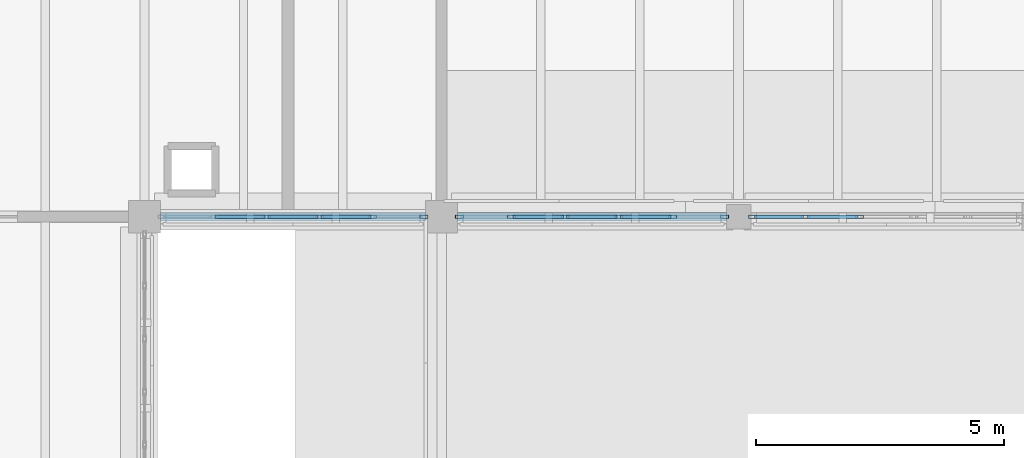
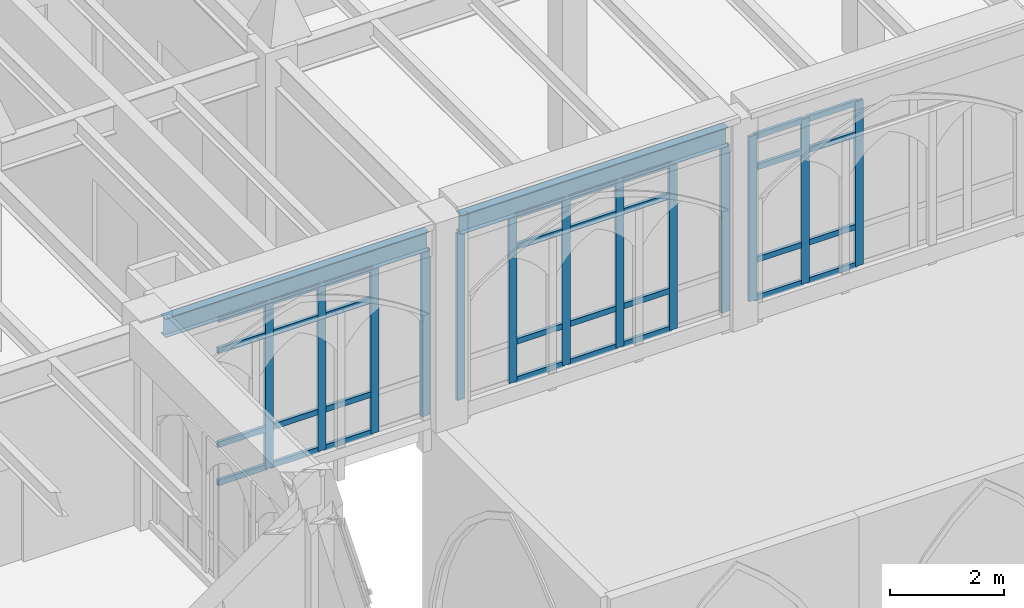
# One storey, part 71 of 143: 45 members, 2 beams, 3 elements without a shape of their own.
"""IFC4 building model written with IfcOpenShell, lengths in metres."""

from ifc_helpers import new_model, si_unit, direction, frame, origin, origin_2d, place, context, subcontext, project, spatial, hollow_rectangle, i_section, extrude, material, layer, layer_set, material_profile, profile_set, type_object, element, aggregate, save


model = new_model("IFC4")

# Units and contexts
model_context = context("Model", 3, precision=1e-05, world=origin(), true_north=direction((0.0, 1.0)))
body_context = subcontext(model_context, "Body", "Model", "MODEL_VIEW")
ifc_project = project(units=[si_unit("LENGTHUNIT", "METRE"), si_unit("AREAUNIT", "SQUARE_METRE"), si_unit("VOLUMEUNIT", "CUBIC_METRE"), si_unit("PLANEANGLEUNIT", "RADIAN"), si_unit("MASSUNIT", "GRAM", prefix="KILO")], contexts=[model_context])

# Site, building, storey
site_placement = place(None, origin())
site = spatial("IfcSite", under=ifc_project, at=site_placement, CompositionType="ELEMENT")
building_placement = place(site_placement, origin())
building = spatial("IfcBuilding", under=site, at=building_placement, Name="Cumevento Cable Car Station", CompositionType="ELEMENT")
storey_placement = place(building_placement, frame((0.0, 0.0, 9.0)))
storey = spatial("IfcBuildingStorey", under=building, at=storey_placement, Name="L03", CompositionType="ELEMENT", Elevation=9.0)

# Curtain wall, members
ifc_material_1 = material(Name="Anodised Bronze Aluminium AW-6063-T6", Category="aluminium")
ifc_layer_1 = layer(ifc_material_1, 0.166015625)
ifc_layer_set_1 = layer_set([ifc_layer_1], Name="Anodised Bronze Aluminium AW-6063-T6")
curtain_wall_type_1 = type_object("IfcCurtainWallType", Name="Lancet Curtain Wall CW-02 1090", PredefinedType="NOTDEFINED", material=ifc_layer_set_1)
curtain_wall_1_placement = place(storey_placement, origin())
curtain_wall_1 = element("IfcCurtainWall", 1, at=curtain_wall_1_placement, inside=storey, type_object=curtain_wall_type_1, Name="Lancet Curtain Wall CW-02 L03 #129", PredefinedType="NOTDEFINED")
ifc_material_2 = material(Name="Anodised Bronze Aluminium AW-6063-T6", Category="aluminium")
ifc_material_profile_1 = material_profile(ifc_material_2, hollow_rectangle(XDim=0.06494140625, YDim=0.159912109375, WallThickness=0.00390625, at=origin_2d()), Name="ALUM65x160x4")
ifc_profile_set_1 = profile_set([ifc_material_profile_1], Name="Anodised Bronze Aluminium AW-6063-T6")
member_type_1 = type_object("IfcMemberType", Name="Curtain Mullion CWM-01 ALUM65x160x4", PredefinedType="MULLION", material=ifc_profile_set_1)
member_1_placement = place(storey_placement, frame((135.642578125, 33.0, 0.2099609375), z_axis=(0.0, 0.0, 1.0), x_axis=(0.0, -1.0, 0.0)))
member_1 = element("IfcMember", 2, at=member_1_placement, type_object=member_type_1, Name="CW-02 mullion 1", PredefinedType="MULLION", context=body_context, shape_type="SweptSolid", body=[
    extrude(hollow_rectangle(XDim=0.06494140625, YDim=0.159912109375, WallThickness=0.00390625, at=origin_2d()), origin(), (0.0, 0.0, 1.0), 3.568115234375),
])
member_2_placement = place(storey_placement, frame((134.60498046875, 33.0, 0.2099609375), z_axis=(0.0, 0.0, 1.0), x_axis=(0.0, -1.0, 0.0)))
member_2 = element("IfcMember", 3, at=member_2_placement, type_object=member_type_1, Name="CW-02 mullion 2", PredefinedType="MULLION", context=body_context, shape_type="SweptSolid", body=[
    extrude(hollow_rectangle(XDim=0.06494140625, YDim=0.159912109375, WallThickness=0.00390625, at=origin_2d()), origin(), (0.0, 0.0, 1.0), 3.568115234375),
])
member_3_placement = place(storey_placement, frame((133.534912109375, 33.0, 0.2099609375), z_axis=(0.0, 0.0, 1.0), x_axis=(0.0, -1.0, 0.0)))
member_3 = element("IfcMember", 4, at=member_3_placement, type_object=member_type_1, Name="CW-02 mullion 3", PredefinedType="MULLION", context=body_context, shape_type="SweptSolid", body=[
    extrude(hollow_rectangle(XDim=0.06494140625, YDim=0.159912109375, WallThickness=0.00390625, at=origin_2d()), origin(), (0.0, 0.0, 1.0), 3.568115234375),
])
member_4_placement = place(storey_placement, frame((132.465087890625, 33.0, 0.2099609375), z_axis=(0.0, 0.0, 1.0), x_axis=(0.0, -1.0, 0.0)))
member_4 = element("IfcMember", 5, at=member_4_placement, type_object=member_type_1, Name="CW-02 mullion 4", PredefinedType="MULLION", context=body_context, shape_type="SweptSolid", body=[
    extrude(hollow_rectangle(XDim=0.06494140625, YDim=0.159912109375, WallThickness=0.00390625, at=origin_2d()), origin(), (0.0, 0.0, 1.0), 3.568115234375),
])

ifc_material_3 = material(Name="Anodised Bronze Aluminium AW-6063-T6", Category="aluminium")
ifc_layer_2 = layer(ifc_material_3, 0.177978515625)
ifc_layer_set_2 = layer_set([ifc_layer_2], Name="Anodised Bronze Aluminium AW-6063-T6")
curtain_wall_type_2 = type_object("IfcCurtainWallType", Name="Lancet Curtain Wall CW-04 1170", PredefinedType="NOTDEFINED", material=ifc_layer_set_2)
curtain_wall_2_placement = place(storey_placement, origin())
curtain_wall_2 = element("IfcCurtainWall", 6, at=curtain_wall_2_placement, inside=storey, type_object=curtain_wall_type_2, Name="Lancet Curtain Wall CW-04 L03 #131", PredefinedType="NOTDEFINED")
member_5_placement = place(storey_placement, frame((141.717529296875, 33.0, 0.31005859375), z_axis=(0.0, 0.0, 1.0), x_axis=(0.0, -1.0, 0.0)))
member_5 = element("IfcMember", 7, at=member_5_placement, type_object=member_type_1, Name="CW-04 mullion 1", PredefinedType="MULLION", context=body_context, shape_type="SweptSolid", body=[
    extrude(hollow_rectangle(XDim=0.06494140625, YDim=0.159912109375, WallThickness=0.00390625, at=origin_2d()), origin(), (0.0, 0.0, 1.0), 3.5830078125),
])
member_6_placement = place(storey_placement, frame((140.6650390625, 33.0, 0.31005859375), z_axis=(0.0, 0.0, 1.0), x_axis=(0.0, -1.0, 0.0)))
member_6 = element("IfcMember", 8, at=member_6_placement, type_object=member_type_1, Name="CW-04 mullion 2", PredefinedType="MULLION", context=body_context, shape_type="SweptSolid", body=[
    extrude(hollow_rectangle(XDim=0.06494140625, YDim=0.159912109375, WallThickness=0.00390625, at=origin_2d()), origin(), (0.0, 0.0, 1.0), 3.5830078125),
])
member_7_placement = place(storey_placement, frame((139.580078125, 33.0, 0.31005859375), z_axis=(0.0, 0.0, 1.0), x_axis=(0.0, -1.0, 0.0)))
member_7 = element("IfcMember", 9, at=member_7_placement, type_object=member_type_1, Name="CW-04 mullion 3", PredefinedType="MULLION", context=body_context, shape_type="SweptSolid", body=[
    extrude(hollow_rectangle(XDim=0.06494140625, YDim=0.159912109375, WallThickness=0.00390625, at=origin_2d()), origin(), (0.0, 0.0, 1.0), 3.5830078125),
])
member_8_placement = place(storey_placement, frame((138.4951171875, 33.0, 0.31005859375), z_axis=(0.0, 0.0, 1.0), x_axis=(0.0, -1.0, 0.0)))
member_8 = element("IfcMember", 10, at=member_8_placement, type_object=member_type_1, Name="CW-04 mullion 4", PredefinedType="MULLION", context=body_context, shape_type="SweptSolid", body=[
    extrude(hollow_rectangle(XDim=0.06494140625, YDim=0.159912109375, WallThickness=0.00390625, at=origin_2d()), origin(), (0.0, 0.0, 1.0), 3.5830078125),
])
member_9_placement = place(storey_placement, frame((137.409912109375, 33.0, 0.31005859375), z_axis=(0.0, 0.0, 1.0), x_axis=(0.0, -1.0, 0.0)))
member_9 = element("IfcMember", 11, at=member_9_placement, type_object=member_type_1, Name="CW-04 mullion 5", PredefinedType="MULLION", context=body_context, shape_type="SweptSolid", body=[
    extrude(hollow_rectangle(XDim=0.06494140625, YDim=0.159912109375, WallThickness=0.00390625, at=origin_2d()), origin(), (0.0, 0.0, 1.0), 3.5830078125),
])
member_10_placement = place(storey_placement, frame((136.357421875, 33.0, 0.31005859375), z_axis=(0.0, 0.0, 1.0), x_axis=(0.0, -1.0, 0.0)))
member_10 = element("IfcMember", 12, at=member_10_placement, type_object=member_type_1, Name="CW-04 mullion 6", PredefinedType="MULLION", context=body_context, shape_type="SweptSolid", body=[
    extrude(hollow_rectangle(XDim=0.06494140625, YDim=0.159912109375, WallThickness=0.00390625, at=origin_2d()), origin(), (0.0, 0.0, 1.0), 3.5830078125),
])

ifc_material_4 = material(Name="Anodised Bronze Aluminium AW-6063-T6", Category="aluminium")
ifc_layer_3 = layer(ifc_material_4, 0.18408203125)
ifc_layer_set_3 = layer_set([ifc_layer_3], Name="Anodised Bronze Aluminium AW-6063-T6")
curtain_wall_type_3 = type_object("IfcCurtainWallType", Name="Lancet Curtain Wall CW-05 1210", PredefinedType="NOTDEFINED", material=ifc_layer_set_3)
curtain_wall_3_placement = place(storey_placement, origin())
curtain_wall_3 = element("IfcCurtainWall", 13, at=curtain_wall_3_placement, inside=storey, type_object=curtain_wall_type_3, Name="Lancet Curtain Wall CW-05 L03 #132", PredefinedType="NOTDEFINED")
member_11_placement = place(storey_placement, frame((144.43994140625, 33.0, 0.360107421875), z_axis=(0.0, 0.0, 1.0), x_axis=(0.0, -1.0, 0.0)))
member_11 = element("IfcMember", 14, at=member_11_placement, type_object=member_type_1, Name="CW-05 mullion 4", PredefinedType="MULLION", context=body_context, shape_type="SweptSolid", body=[
    extrude(hollow_rectangle(XDim=0.06494140625, YDim=0.159912109375, WallThickness=0.00390625, at=origin_2d()), origin(), (0.0, 0.0, 1.0), 3.532958984375),
])
member_12_placement = place(storey_placement, frame((143.344970703125, 33.0, 0.360107421875), z_axis=(0.0, 0.0, 1.0), x_axis=(0.0, -1.0, 0.0)))
member_12 = element("IfcMember", 15, at=member_12_placement, type_object=member_type_1, Name="CW-05 mullion 5", PredefinedType="MULLION", context=body_context, shape_type="SweptSolid", body=[
    extrude(hollow_rectangle(XDim=0.06494140625, YDim=0.159912109375, WallThickness=0.00390625, at=origin_2d()), origin(), (0.0, 0.0, 1.0), 3.532958984375),
])
member_13_placement = place(storey_placement, frame((142.282470703125, 33.0, 0.360107421875), z_axis=(0.0, 0.0, 1.0), x_axis=(0.0, -1.0, 0.0)))
member_13 = element("IfcMember", 16, at=member_13_placement, type_object=member_type_1, Name="CW-05 mullion 6", PredefinedType="MULLION", context=body_context, shape_type="SweptSolid", body=[
    extrude(hollow_rectangle(XDim=0.06494140625, YDim=0.159912109375, WallThickness=0.00390625, at=origin_2d()), origin(), (0.0, 0.0, 1.0), 3.532958984375),
])

# Member
ifc_material_5 = material(Name="Anodised Bronze Aluminium AW-6063-T6", Category="aluminium")
ifc_material_profile_2 = material_profile(ifc_material_5, hollow_rectangle(XDim=0.06494140625, YDim=0.1201171875, WallThickness=0.00390625, at=origin_2d()), Name="ALUT65x120x4")
ifc_profile_set_2 = profile_set([ifc_material_profile_2], Name="Anodised Bronze Aluminium AW-6063-T6")
member_type_2 = type_object("IfcMemberType", Name="Curtain Transom CWT-01 ALUT65x120x4", PredefinedType="USERDEFINED", material=ifc_profile_set_2)
member_14_placement = place(storey_placement, frame((134.572509765625, 33.0, 0.242431640625), z_axis=(-1.0, 0.0, 0.0), x_axis=(0.0, -1.0, 0.0)))
member_14 = element("IfcMember", 17, at=member_14_placement, type_object=member_type_2, Name="CW-02 transom 2.1", ObjectType="TRANSOM", PredefinedType="USERDEFINED", context=body_context, shape_type="SweptSolid", body=[
    extrude(hollow_rectangle(XDim=0.06494140625, YDim=0.1201171875, WallThickness=0.00390625, at=origin_2d()), origin(), (0.0, 0.0, 1.0), 1.005126953125),
])

member_15_placement = place(storey_placement, frame((134.572509765625, 33.0, 1.06005859375), z_axis=(-1.0, 0.0, 0.0), x_axis=(0.0, -1.0, 0.0)))
member_15 = element("IfcMember", 18, at=member_15_placement, type_object=member_type_2, Name="CW-02 transom 2.2", ObjectType="TRANSOM", PredefinedType="USERDEFINED", context=body_context, shape_type="SweptSolid", body=[
    extrude(hollow_rectangle(XDim=0.06494140625, YDim=0.1201171875, WallThickness=0.00390625, at=origin_2d()), origin(), (0.0, 0.0, 1.0), 1.005126953125),
])

member_16_placement = place(storey_placement, frame((134.572509765625, 33.0, 3.077880859375), z_axis=(-1.0, 0.0, 0.0), x_axis=(0.0, -1.0, 0.0)))
member_16 = element("IfcMember", 19, at=member_16_placement, type_object=member_type_2, Name="CW-02 transom 2.3", ObjectType="TRANSOM", PredefinedType="USERDEFINED", context=body_context, shape_type="SweptSolid", body=[
    extrude(hollow_rectangle(XDim=0.06494140625, YDim=0.1201171875, WallThickness=0.00390625, at=origin_2d()), origin(), (0.0, 0.0, 1.0), 1.005126953125),
])

member_17_placement = place(storey_placement, frame((134.572509765625, 33.0, 3.74560546875), z_axis=(-1.0, 0.0, 0.0), x_axis=(0.0, -1.0, 0.0)))
member_17 = element("IfcMember", 20, at=member_17_placement, type_object=member_type_2, Name="CW-02 transom 2.4", ObjectType="TRANSOM", PredefinedType="USERDEFINED", context=body_context, shape_type="SweptSolid", body=[
    extrude(hollow_rectangle(XDim=0.06494140625, YDim=0.1201171875, WallThickness=0.00390625, at=origin_2d()), origin(), (0.0, 0.0, 1.0), 1.005126953125),
])

member_18_placement = place(storey_placement, frame((133.50244140625, 33.0, 0.242431640625), z_axis=(-1.0, 0.0, 0.0), x_axis=(0.0, -1.0, 0.0)))
member_18 = element("IfcMember", 21, at=member_18_placement, type_object=member_type_2, Name="CW-02 transom 3.1", ObjectType="TRANSOM", PredefinedType="USERDEFINED", context=body_context, shape_type="SweptSolid", body=[
    extrude(hollow_rectangle(XDim=0.06494140625, YDim=0.1201171875, WallThickness=0.00390625, at=origin_2d()), origin(), (0.0, 0.0, 1.0), 1.0048828125),
])

member_19_placement = place(storey_placement, frame((133.50244140625, 33.0, 1.06005859375), z_axis=(-1.0, 0.0, 0.0), x_axis=(0.0, -1.0, 0.0)))
member_19 = element("IfcMember", 22, at=member_19_placement, type_object=member_type_2, Name="CW-02 transom 3.2", ObjectType="TRANSOM", PredefinedType="USERDEFINED", context=body_context, shape_type="SweptSolid", body=[
    extrude(hollow_rectangle(XDim=0.06494140625, YDim=0.1201171875, WallThickness=0.00390625, at=origin_2d()), origin(), (0.0, 0.0, 1.0), 1.0048828125),
])

member_20_placement = place(storey_placement, frame((133.50244140625, 33.0, 3.077880859375), z_axis=(-1.0, 0.0, 0.0), x_axis=(0.0, -1.0, 0.0)))
member_20 = element("IfcMember", 23, at=member_20_placement, type_object=member_type_2, Name="CW-02 transom 3.3", ObjectType="TRANSOM", PredefinedType="USERDEFINED", context=body_context, shape_type="SweptSolid", body=[
    extrude(hollow_rectangle(XDim=0.06494140625, YDim=0.1201171875, WallThickness=0.00390625, at=origin_2d()), origin(), (0.0, 0.0, 1.0), 1.0048828125),
])

member_21_placement = place(storey_placement, frame((133.50244140625, 33.0, 3.74560546875), z_axis=(-1.0, 0.0, 0.0), x_axis=(0.0, -1.0, 0.0)))
member_21 = element("IfcMember", 24, at=member_21_placement, type_object=member_type_2, Name="CW-02 transom 3.4", ObjectType="TRANSOM", PredefinedType="USERDEFINED", context=body_context, shape_type="SweptSolid", body=[
    extrude(hollow_rectangle(XDim=0.06494140625, YDim=0.1201171875, WallThickness=0.00390625, at=origin_2d()), origin(), (0.0, 0.0, 1.0), 1.0048828125),
])

member_22_placement = place(storey_placement, frame((132.4326171875, 33.0, 0.242431640625), z_axis=(-1.0, 0.0, 0.0), x_axis=(0.0, -1.0, 0.0)))
member_22 = element("IfcMember", 25, at=member_22_placement, type_object=member_type_2, Name="CW-02 transom 4.1", ObjectType="TRANSOM", PredefinedType="USERDEFINED", context=body_context, shape_type="SweptSolid", body=[
    extrude(hollow_rectangle(XDim=0.06494140625, YDim=0.1201171875, WallThickness=0.00390625, at=origin_2d()), origin(), (0.0, 0.0, 1.0), 1.005126953125),
])

member_23_placement = place(storey_placement, frame((132.4326171875, 33.0, 1.06005859375), z_axis=(-1.0, 0.0, 0.0), x_axis=(0.0, -1.0, 0.0)))
member_23 = element("IfcMember", 26, at=member_23_placement, type_object=member_type_2, Name="CW-02 transom 4.2", ObjectType="TRANSOM", PredefinedType="USERDEFINED", context=body_context, shape_type="SweptSolid", body=[
    extrude(hollow_rectangle(XDim=0.06494140625, YDim=0.1201171875, WallThickness=0.00390625, at=origin_2d()), origin(), (0.0, 0.0, 1.0), 1.005126953125),
])

member_24_placement = place(storey_placement, frame((132.4326171875, 33.0, 3.077880859375), z_axis=(-1.0, 0.0, 0.0), x_axis=(0.0, -1.0, 0.0)))
member_24 = element("IfcMember", 27, at=member_24_placement, type_object=member_type_2, Name="CW-02 transom 4.3", ObjectType="TRANSOM", PredefinedType="USERDEFINED", context=body_context, shape_type="SweptSolid", body=[
    extrude(hollow_rectangle(XDim=0.06494140625, YDim=0.1201171875, WallThickness=0.00390625, at=origin_2d()), origin(), (0.0, 0.0, 1.0), 1.005126953125),
])

member_25_placement = place(storey_placement, frame((132.4326171875, 33.0, 3.74560546875), z_axis=(-1.0, 0.0, 0.0), x_axis=(0.0, -1.0, 0.0)))
member_25 = element("IfcMember", 28, at=member_25_placement, type_object=member_type_2, Name="CW-02 transom 4.4", ObjectType="TRANSOM", PredefinedType="USERDEFINED", context=body_context, shape_type="SweptSolid", body=[
    extrude(hollow_rectangle(XDim=0.06494140625, YDim=0.1201171875, WallThickness=0.00390625, at=origin_2d()), origin(), (0.0, 0.0, 1.0), 1.005126953125),
])

aggregate(curtain_wall_1, [member_1, member_2, member_3, member_4, member_14, member_15, member_16, member_17, member_18, member_19, member_20, member_21, member_22, member_23, member_24, member_25])

member_26_placement = place(storey_placement, frame((140.632568359375, 33.0, 0.342529296875), z_axis=(-1.0, 0.0, 0.0), x_axis=(0.0, -1.0, 0.0)))
member_26 = element("IfcMember", 29, at=member_26_placement, type_object=member_type_2, Name="CW-04 transom 2.1", ObjectType="TRANSOM", PredefinedType="USERDEFINED", context=body_context, shape_type="SweptSolid", body=[
    extrude(hollow_rectangle(XDim=0.06494140625, YDim=0.1201171875, WallThickness=0.00390625, at=origin_2d()), origin(), (0.0, 0.0, 1.0), 1.02001953125),
])

member_27_placement = place(storey_placement, frame((140.632568359375, 33.0, 1.159912109375), z_axis=(-1.0, 0.0, 0.0), x_axis=(0.0, -1.0, 0.0)))
member_27 = element("IfcMember", 30, at=member_27_placement, type_object=member_type_2, Name="CW-04 transom 2.2", ObjectType="TRANSOM", PredefinedType="USERDEFINED", context=body_context, shape_type="SweptSolid", body=[
    extrude(hollow_rectangle(XDim=0.06494140625, YDim=0.1201171875, WallThickness=0.00390625, at=origin_2d()), origin(), (0.0, 0.0, 1.0), 1.02001953125),
])

member_28_placement = place(storey_placement, frame((140.632568359375, 33.0, 3.193115234375), z_axis=(-1.0, 0.0, 0.0), x_axis=(0.0, -1.0, 0.0)))
member_28 = element("IfcMember", 31, at=member_28_placement, type_object=member_type_2, Name="CW-04 transom 2.3", ObjectType="TRANSOM", PredefinedType="USERDEFINED", context=body_context, shape_type="SweptSolid", body=[
    extrude(hollow_rectangle(XDim=0.06494140625, YDim=0.1201171875, WallThickness=0.00390625, at=origin_2d()), origin(), (0.0, 0.0, 1.0), 1.02001953125),
])

member_29_placement = place(storey_placement, frame((140.632568359375, 33.0, 3.860595703125), z_axis=(-1.0, 0.0, 0.0), x_axis=(0.0, -1.0, 0.0)))
member_29 = element("IfcMember", 32, at=member_29_placement, type_object=member_type_2, Name="CW-04 transom 2.4", ObjectType="TRANSOM", PredefinedType="USERDEFINED", context=body_context, shape_type="SweptSolid", body=[
    extrude(hollow_rectangle(XDim=0.06494140625, YDim=0.1201171875, WallThickness=0.00390625, at=origin_2d()), origin(), (0.0, 0.0, 1.0), 1.02001953125),
])

member_30_placement = place(storey_placement, frame((139.547607421875, 33.0, 0.342529296875), z_axis=(-1.0, 0.0, 0.0), x_axis=(0.0, -1.0, 0.0)))
member_30 = element("IfcMember", 33, at=member_30_placement, type_object=member_type_2, Name="CW-04 transom 3.1", ObjectType="TRANSOM", PredefinedType="USERDEFINED", context=body_context, shape_type="SweptSolid", body=[
    extrude(hollow_rectangle(XDim=0.06494140625, YDim=0.1201171875, WallThickness=0.00390625, at=origin_2d()), origin(), (0.0, 0.0, 1.0), 1.02001953125),
])

member_31_placement = place(storey_placement, frame((139.547607421875, 33.0, 1.159912109375), z_axis=(-1.0, 0.0, 0.0), x_axis=(0.0, -1.0, 0.0)))
member_31 = element("IfcMember", 34, at=member_31_placement, type_object=member_type_2, Name="CW-04 transom 3.2", ObjectType="TRANSOM", PredefinedType="USERDEFINED", context=body_context, shape_type="SweptSolid", body=[
    extrude(hollow_rectangle(XDim=0.06494140625, YDim=0.1201171875, WallThickness=0.00390625, at=origin_2d()), origin(), (0.0, 0.0, 1.0), 1.02001953125),
])

member_32_placement = place(storey_placement, frame((139.547607421875, 33.0, 3.193115234375), z_axis=(-1.0, 0.0, 0.0), x_axis=(0.0, -1.0, 0.0)))
member_32 = element("IfcMember", 35, at=member_32_placement, type_object=member_type_2, Name="CW-04 transom 3.3", ObjectType="TRANSOM", PredefinedType="USERDEFINED", context=body_context, shape_type="SweptSolid", body=[
    extrude(hollow_rectangle(XDim=0.06494140625, YDim=0.1201171875, WallThickness=0.00390625, at=origin_2d()), origin(), (0.0, 0.0, 1.0), 1.02001953125),
])

member_33_placement = place(storey_placement, frame((139.547607421875, 33.0, 3.860595703125), z_axis=(-1.0, 0.0, 0.0), x_axis=(0.0, -1.0, 0.0)))
member_33 = element("IfcMember", 36, at=member_33_placement, type_object=member_type_2, Name="CW-04 transom 3.4", ObjectType="TRANSOM", PredefinedType="USERDEFINED", context=body_context, shape_type="SweptSolid", body=[
    extrude(hollow_rectangle(XDim=0.06494140625, YDim=0.1201171875, WallThickness=0.00390625, at=origin_2d()), origin(), (0.0, 0.0, 1.0), 1.02001953125),
])

member_34_placement = place(storey_placement, frame((138.46240234375, 33.0, 0.342529296875), z_axis=(-1.0, 0.0, 0.0), x_axis=(0.0, -1.0, 0.0)))
member_34 = element("IfcMember", 37, at=member_34_placement, type_object=member_type_2, Name="CW-04 transom 4.1", ObjectType="TRANSOM", PredefinedType="USERDEFINED", context=body_context, shape_type="SweptSolid", body=[
    extrude(hollow_rectangle(XDim=0.06494140625, YDim=0.1201171875, WallThickness=0.00390625, at=origin_2d()), origin(), (0.0, 0.0, 1.0), 1.02001953125),
])

member_35_placement = place(storey_placement, frame((138.46240234375, 33.0, 1.159912109375), z_axis=(-1.0, 0.0, 0.0), x_axis=(0.0, -1.0, 0.0)))
member_35 = element("IfcMember", 38, at=member_35_placement, type_object=member_type_2, Name="CW-04 transom 4.2", ObjectType="TRANSOM", PredefinedType="USERDEFINED", context=body_context, shape_type="SweptSolid", body=[
    extrude(hollow_rectangle(XDim=0.06494140625, YDim=0.1201171875, WallThickness=0.00390625, at=origin_2d()), origin(), (0.0, 0.0, 1.0), 1.02001953125),
])

member_36_placement = place(storey_placement, frame((138.46240234375, 33.0, 3.193115234375), z_axis=(-1.0, 0.0, 0.0), x_axis=(0.0, -1.0, 0.0)))
member_36 = element("IfcMember", 39, at=member_36_placement, type_object=member_type_2, Name="CW-04 transom 4.3", ObjectType="TRANSOM", PredefinedType="USERDEFINED", context=body_context, shape_type="SweptSolid", body=[
    extrude(hollow_rectangle(XDim=0.06494140625, YDim=0.1201171875, WallThickness=0.00390625, at=origin_2d()), origin(), (0.0, 0.0, 1.0), 1.02001953125),
])

member_37_placement = place(storey_placement, frame((138.46240234375, 33.0, 3.860595703125), z_axis=(-1.0, 0.0, 0.0), x_axis=(0.0, -1.0, 0.0)))
member_37 = element("IfcMember", 40, at=member_37_placement, type_object=member_type_2, Name="CW-04 transom 4.4", ObjectType="TRANSOM", PredefinedType="USERDEFINED", context=body_context, shape_type="SweptSolid", body=[
    extrude(hollow_rectangle(XDim=0.06494140625, YDim=0.1201171875, WallThickness=0.00390625, at=origin_2d()), origin(), (0.0, 0.0, 1.0), 1.02001953125),
])

aggregate(curtain_wall_2, [member_5, member_6, member_7, member_8, member_9, member_10, member_26, member_27, member_28, member_29, member_30, member_31, member_32, member_33, member_34, member_35, member_36, member_37])

member_38_placement = place(storey_placement, frame((144.407470703125, 33.0, 0.392578125), z_axis=(-1.0, 0.0, 0.0), x_axis=(0.0, -1.0, 0.0)))
member_38 = element("IfcMember", 41, at=member_38_placement, type_object=member_type_2, Name="CW-05 transom 4.1", ObjectType="TRANSOM", PredefinedType="USERDEFINED", context=body_context, shape_type="SweptSolid", body=[
    extrude(hollow_rectangle(XDim=0.06494140625, YDim=0.1201171875, WallThickness=0.00390625, at=origin_2d()), origin(), (0.0, 0.0, 1.0), 1.030029296875),
])

member_39_placement = place(storey_placement, frame((144.407470703125, 33.0, 1.2099609375), z_axis=(-1.0, 0.0, 0.0), x_axis=(0.0, -1.0, 0.0)))
member_39 = element("IfcMember", 42, at=member_39_placement, type_object=member_type_2, Name="CW-05 transom 4.2", ObjectType="TRANSOM", PredefinedType="USERDEFINED", context=body_context, shape_type="SweptSolid", body=[
    extrude(hollow_rectangle(XDim=0.06494140625, YDim=0.1201171875, WallThickness=0.00390625, at=origin_2d()), origin(), (0.0, 0.0, 1.0), 1.030029296875),
])

member_40_placement = place(storey_placement, frame((144.407470703125, 33.0, 3.193115234375), z_axis=(-1.0, 0.0, 0.0), x_axis=(0.0, -1.0, 0.0)))
member_40 = element("IfcMember", 43, at=member_40_placement, type_object=member_type_2, Name="CW-05 transom 4.3", ObjectType="TRANSOM", PredefinedType="USERDEFINED", context=body_context, shape_type="SweptSolid", body=[
    extrude(hollow_rectangle(XDim=0.06494140625, YDim=0.1201171875, WallThickness=0.00390625, at=origin_2d()), origin(), (0.0, 0.0, 1.0), 1.030029296875),
])

member_41_placement = place(storey_placement, frame((144.407470703125, 33.0, 3.860595703125), z_axis=(-1.0, 0.0, 0.0), x_axis=(0.0, -1.0, 0.0)))
member_41 = element("IfcMember", 44, at=member_41_placement, type_object=member_type_2, Name="CW-05 transom 4.4", ObjectType="TRANSOM", PredefinedType="USERDEFINED", context=body_context, shape_type="SweptSolid", body=[
    extrude(hollow_rectangle(XDim=0.06494140625, YDim=0.1201171875, WallThickness=0.00390625, at=origin_2d()), origin(), (0.0, 0.0, 1.0), 1.030029296875),
])

member_42_placement = place(storey_placement, frame((143.3125, 33.0, 0.392578125), z_axis=(-1.0, 0.0, 0.0), x_axis=(0.0, -1.0, 0.0)))
member_42 = element("IfcMember", 45, at=member_42_placement, type_object=member_type_2, Name="CW-05 transom 5.1", ObjectType="TRANSOM", PredefinedType="USERDEFINED", context=body_context, shape_type="SweptSolid", body=[
    extrude(hollow_rectangle(XDim=0.06494140625, YDim=0.1201171875, WallThickness=0.00390625, at=origin_2d()), origin(), (0.0, 0.0, 1.0), 0.99755859375),
])

member_43_placement = place(storey_placement, frame((143.3125, 33.0, 1.2099609375), z_axis=(-1.0, 0.0, 0.0), x_axis=(0.0, -1.0, 0.0)))
member_43 = element("IfcMember", 46, at=member_43_placement, type_object=member_type_2, Name="CW-05 transom 5.2", ObjectType="TRANSOM", PredefinedType="USERDEFINED", context=body_context, shape_type="SweptSolid", body=[
    extrude(hollow_rectangle(XDim=0.06494140625, YDim=0.1201171875, WallThickness=0.00390625, at=origin_2d()), origin(), (0.0, 0.0, 1.0), 0.99755859375),
])

member_44_placement = place(storey_placement, frame((143.3125, 33.0, 3.193115234375), z_axis=(-1.0, 0.0, 0.0), x_axis=(0.0, -1.0, 0.0)))
member_44 = element("IfcMember", 47, at=member_44_placement, type_object=member_type_2, Name="CW-05 transom 5.3", ObjectType="TRANSOM", PredefinedType="USERDEFINED", context=body_context, shape_type="SweptSolid", body=[
    extrude(hollow_rectangle(XDim=0.06494140625, YDim=0.1201171875, WallThickness=0.00390625, at=origin_2d()), origin(), (0.0, 0.0, 1.0), 0.99755859375),
])

member_45_placement = place(storey_placement, frame((143.3125, 33.0, 3.860595703125), z_axis=(-1.0, 0.0, 0.0), x_axis=(0.0, -1.0, 0.0)))
member_45 = element("IfcMember", 48, at=member_45_placement, type_object=member_type_2, Name="CW-05 transom 5.4", ObjectType="TRANSOM", PredefinedType="USERDEFINED", context=body_context, shape_type="SweptSolid", body=[
    extrude(hollow_rectangle(XDim=0.06494140625, YDim=0.1201171875, WallThickness=0.00390625, at=origin_2d()), origin(), (0.0, 0.0, 1.0), 0.99755859375),
])

aggregate(curtain_wall_3, [member_11, member_12, member_13, member_38, member_39, member_40, member_41, member_42, member_43, member_44, member_45])

# Beams
ifc_material_6 = material(Name="Steel ASTM A572 Grade 50", Category="steel")
ifc_material_profile_3 = material_profile(ifc_material_6, i_section(OverallWidth=0.177978515625, OverallDepth=0.406982421875, WebThickness=0.0078125, FlangeThickness=0.0126953125, at=origin_2d()), Name="W410x60.0")
ifc_profile_set_3 = profile_set([ifc_material_profile_3], Name="Steel ASTM A572 Grade 50")
beam_type = type_object("IfcBeamType", Name="Structural Spandrel SP-01 W410x60.0", PredefinedType="SPANDREL", material=ifc_profile_set_3)
beam_1_placement = place(storey_placement, frame((130.324951171875, 33.0, 3.9814453125), z_axis=(1.0, 0.0, 0.0), x_axis=(0.0, 1.0, 0.0)))
element("IfcBeam", 49, at=beam_1_placement, inside=storey, type_object=beam_type, Name="Beam SP-01 L03 #1149", PredefinedType="SPANDREL", context=body_context, shape_type="SweptSolid", body=[
    extrude(i_section(OverallWidth=0.177978515625, OverallDepth=0.406982421875, WebThickness=0.0078125, FlangeThickness=0.0126953125, at=origin_2d()), origin(), (0.0, 0.0, 1.0), 5.35009765625),
])
beam_2_placement = place(storey_placement, frame((136.324951171875, 33.0, 4.096435546875), z_axis=(1.0, 0.0, 0.0), x_axis=(0.0, 1.0, 0.0)))
element("IfcBeam", 50, at=beam_2_placement, inside=storey, type_object=beam_type, Name="Beam SP-01 L03 #1164", PredefinedType="SPANDREL", context=body_context, shape_type="SweptSolid", body=[
    extrude(i_section(OverallWidth=0.177978515625, OverallDepth=0.406982421875, WebThickness=0.0078125, FlangeThickness=0.0126953125, at=origin_2d()), origin(), (0.0, 0.0, 1.0), 5.425048828125),
])

save(model, "model.ifc")
